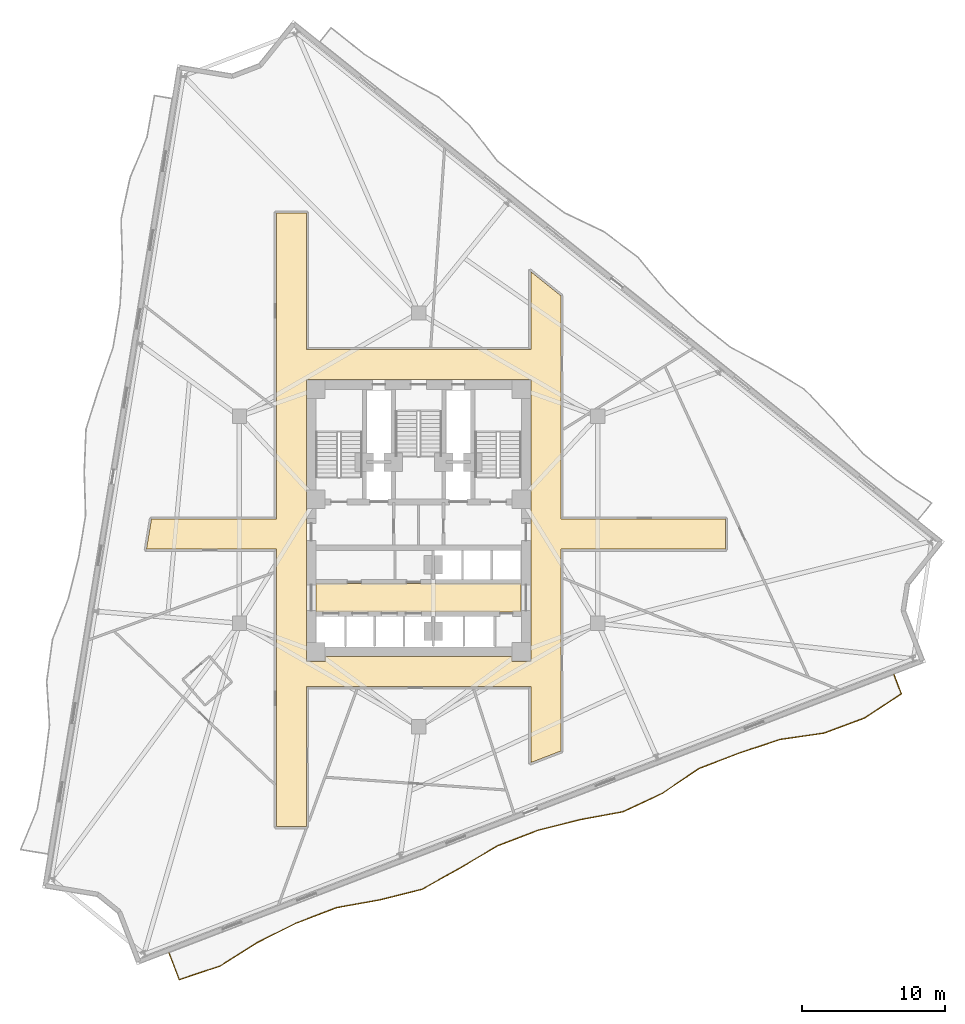
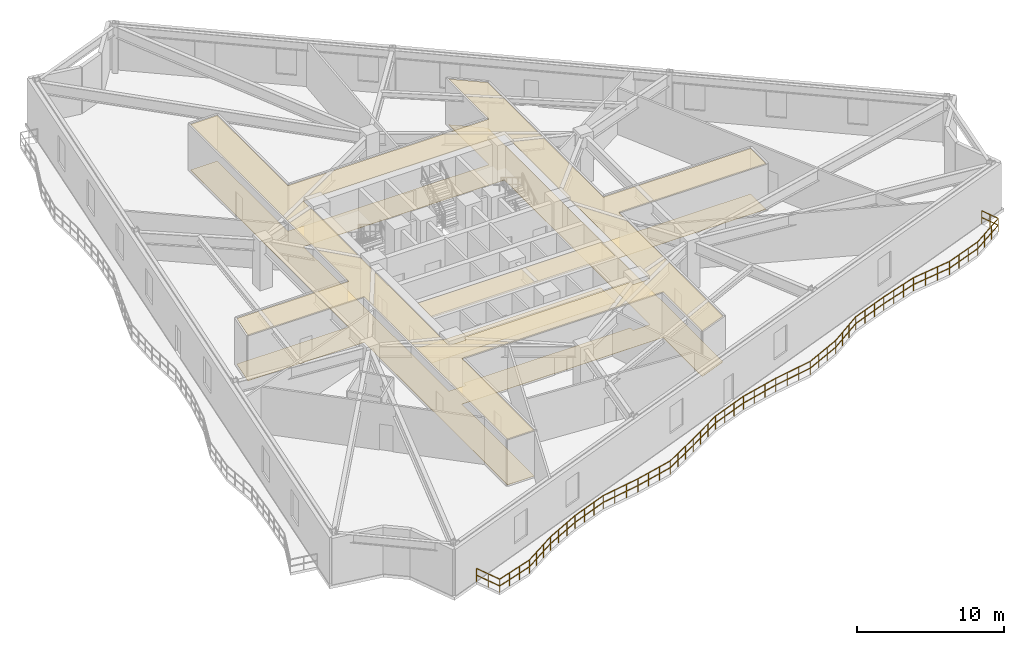
# One storey, part 8 of 11: 4 coverings, 1 railing.
"""IFC4 building model written with IfcOpenShell, lengths in metres."""

from ifc_helpers import new_model, si_unit, direction, frame, origin, origin_2d, place, context, subcontext, project, spatial, polyline, rectangle, outline, extrude, material, layer, layer_set, type_object, element, save


model = new_model("IFC4")

# Units and contexts
model_context = context("Model", 3, precision=1e-05, world=origin(), true_north=direction((0.0, 1.0)))
body_context = subcontext(model_context, "Body", "Model", "MODEL_VIEW")
ifc_project = project(units=[si_unit("LENGTHUNIT", "METRE"), si_unit("AREAUNIT", "SQUARE_METRE"), si_unit("VOLUMEUNIT", "CUBIC_METRE"), si_unit("PLANEANGLEUNIT", "RADIAN"), si_unit("MASSUNIT", "GRAM", prefix="KILO")], contexts=[model_context])

# Site, building, storey
site_placement = place(None, origin())
site = spatial("IfcSite", under=ifc_project, at=site_placement, CompositionType="ELEMENT")
building_placement = place(site_placement, origin())
building = spatial("IfcBuilding", under=site, at=building_placement, Name="Apsidion Concourse Tower", CompositionType="ELEMENT")
storey_placement = place(building_placement, frame((0.0, 0.0, 132.199951171875)))
storey = spatial("IfcBuildingStorey", under=building, at=storey_placement, Name="L30", CompositionType="ELEMENT", Elevation=132.199951171875)

# Coverings
ifc_material_1 = material(Name="Acoustic mineral fibre ceiling")
ifc_layer_1 = layer(ifc_material_1, 0.0400390625)
ifc_layer_set_1 = layer_set([ifc_layer_1], Name="Acoustic mineral fibre ceiling")
covering_type_1 = type_object("IfcCoveringType", Name="COV-CEIL-40", PredefinedType="CEILING", material=ifc_layer_set_1)
covering_1_placement = place(storey_placement, frame((0.0, 0.0, 3.75)))
element("IfcCovering", 1, at=covering_1_placement, inside=storey, type_object=covering_type_1, Name="L30 Acoustic Ceiling Grid 1", PredefinedType="CEILING", context=body_context, shape_type="SweptSolid", body=[
    extrude(outline(polyline([(-7.179931640625, -6.449951171875), (-7.179931640625, -4.47998046875), (7.179931640625, -4.47998046875), (7.179931640625, -6.449951171875), (-7.179931640625, -6.449951171875)])), origin(), (0.0, 0.0, 1.0), 0.0400390625),
])
covering_2_placement = place(storey_placement, frame((0.0, 0.0, 3.75)))
element("IfcCovering", 2, at=covering_2_placement, inside=storey, type_object=covering_type_1, Name="L30 Acoustic Ceiling Grid 2", PredefinedType="CEILING", context=body_context, shape_type="SweptSolid", body=[
    extrude(outline(polyline([(9.969970703125, -16.20458984375), (7.8701171875, -17.0107421875), (7.8701171875, -11.695068359375), (-7.8701171875, -11.695068359375), (-7.8701171875, -21.5), (-9.969970703125, -21.5), (-9.969970703125, -11.695068359375), (-9.969970703125, -2.050048828125), (-19.0703125, -2.050048828125), (-18.7255859375, 0.050048828125), (-9.969970703125, 0.050048828125), (-9.969970703125, 11.919921875), (-9.969970703125, 21.5), (-7.8701171875, 21.5), (-7.8701171875, 11.919921875), (7.8701171875, 11.919921875), (7.8701171875, 17.3798828125), (9.969970703125, 15.698974609375), (9.969970703125, 11.919921875), (9.969970703125, 0.050048828125), (21.5, 0.050048828125), (21.5, -2.050048828125), (9.969970703125, -2.050048828125), (9.969970703125, -11.695068359375), (9.969970703125, -16.20458984375)]), holes=[polyline([(7.8701171875, -8.60009765625), (7.8701171875, -2.050048828125), (7.8701171875, 0.050048828125), (7.8701171875, 0.800048828125), (7.8701171875, 2.10009765625), (7.8701171875, 8.5), (7.8701171875, 9.800048828125), (7.8701171875, 9.820068359375), (7.85009765625, 9.820068359375), (6.550048828125, 9.820068359375), (-6.550048828125, 9.820068359375), (-7.85009765625, 9.820068359375), (-7.8701171875, 9.820068359375), (-7.8701171875, 9.800048828125), (-7.8701171875, 8.5), (-7.8701171875, 2.10009765625), (-7.8701171875, 0.800048828125), (-7.8701171875, 0.050048828125), (-7.8701171875, -2.050048828125), (-7.8701171875, -8.60009765625), (-7.8701171875, -9.594970703125), (-7.8701171875, -9.89990234375), (-7.869873046875, -9.902099609375), (-7.86962890625, -9.90380859375), (-7.869140625, -9.90576171875), (-7.868408203125, -9.90771484375), (-7.86767578125, -9.909423828125), (-7.86669921875, -9.9111328125), (-7.865478515625, -9.91259765625), (-7.864013671875, -9.9140625), (-7.86279296875, -9.91552734375), (-7.861083984375, -9.91650390625), (-7.859375, -9.91748046875), (-7.857666015625, -9.91845703125), (-7.855712890625, -9.919189453125), (-7.85400390625, -9.919677734375), (-7.85205078125, -9.919921875), (-7.85009765625, -9.919921875), (-6.550048828125, -9.919921875), (-6.548095703125, -9.919921875), (-6.546142578125, -9.919677734375), (-6.544189453125, -9.919189453125), (-6.542236328125, -9.91845703125), (-6.54052734375, -9.91748046875), (-6.538818359375, -9.91650390625), (-6.537353515625, -9.91552734375), (-6.535888671875, -9.9140625), (-6.534423828125, -9.91259765625), (-6.533447265625, -9.9111328125), (-6.532470703125, -9.909423828125), (-6.531494140625, -9.90771484375), (-6.531005859375, -9.90576171875), (-6.530517578125, -9.90380859375), (-6.530029296875, -9.902099609375), (-6.530029296875, -9.89990234375), (-6.530029296875, -9.594970703125), (6.530029296875, -9.594970703125), (6.530029296875, -9.89990234375), (6.530029296875, -9.902099609375), (6.530517578125, -9.90380859375), (6.531005859375, -9.90576171875), (6.531494140625, -9.90771484375), (6.532470703125, -9.909423828125), (6.533447265625, -9.9111328125), (6.534423828125, -9.91259765625), (6.535888671875, -9.9140625), (6.537353515625, -9.91552734375), (6.538818359375, -9.91650390625), (6.54052734375, -9.91748046875), (6.542236328125, -9.91845703125), (6.544189453125, -9.919189453125), (6.546142578125, -9.919677734375), (6.548095703125, -9.919921875), (6.550048828125, -9.919921875), (7.85009765625, -9.919921875), (7.85205078125, -9.919921875), (7.85400390625, -9.919677734375), (7.855712890625, -9.919189453125), (7.857666015625, -9.91845703125), (7.859375, -9.91748046875), (7.861083984375, -9.91650390625), (7.86279296875, -9.91552734375), (7.864013671875, -9.9140625), (7.865478515625, -9.91259765625), (7.86669921875, -9.9111328125), (7.86767578125, -9.909423828125), (7.868408203125, -9.90771484375), (7.869140625, -9.90576171875), (7.86962890625, -9.90380859375), (7.869873046875, -9.902099609375), (7.8701171875, -9.89990234375), (7.8701171875, -9.594970703125), (7.8701171875, -8.60009765625)])]), origin(), (0.0, 0.0, 1.0), 0.0400390625),
])
ifc_material_2 = material(Name="Honed travertine floor finish", Category="masonry")
ifc_layer_2 = layer(ifc_material_2, 0.02001953125)
ifc_layer_set_2 = layer_set([ifc_layer_2], Name="Honed travertine floor finish")
covering_type_2 = type_object("IfcCoveringType", Name="COV-FLOR-20", PredefinedType="FLOORING", material=ifc_layer_set_2)
covering_3_placement = place(storey_placement, origin())
element("IfcCovering", 3, at=covering_3_placement, inside=storey, type_object=covering_type_2, Name="L30 Honed Travertine Floor Finish 1", PredefinedType="FLOORING", context=body_context, shape_type="SweptSolid", body=[
    extrude(outline(polyline([(-7.179931640625, -6.449951171875), (-7.179931640625, -4.47998046875), (7.179931640625, -4.47998046875), (7.179931640625, -6.449951171875), (-7.179931640625, -6.449951171875)])), origin(), (0.0, 0.0, 1.0), 0.02001953125),
])
covering_4_placement = place(storey_placement, origin())
element("IfcCovering", 4, at=covering_4_placement, inside=storey, type_object=covering_type_2, Name="L30 Honed Travertine Floor Finish 2", PredefinedType="FLOORING", context=body_context, shape_type="SweptSolid", body=[
    extrude(outline(polyline([(9.969970703125, -16.20458984375), (7.8701171875, -17.0107421875), (7.8701171875, -11.695068359375), (-7.8701171875, -11.695068359375), (-7.8701171875, -21.5), (-9.969970703125, -21.5), (-9.969970703125, -11.695068359375), (-9.969970703125, -2.050048828125), (-19.0703125, -2.050048828125), (-18.7255859375, 0.050048828125), (-9.969970703125, 0.050048828125), (-9.969970703125, 11.919921875), (-9.969970703125, 21.5), (-7.8701171875, 21.5), (-7.8701171875, 11.919921875), (7.8701171875, 11.919921875), (7.8701171875, 17.3798828125), (9.969970703125, 15.698974609375), (9.969970703125, 11.919921875), (9.969970703125, 0.050048828125), (21.5, 0.050048828125), (21.5, -2.050048828125), (9.969970703125, -2.050048828125), (9.969970703125, -11.695068359375), (9.969970703125, -16.20458984375)]), holes=[polyline([(7.8701171875, -8.60009765625), (7.8701171875, -2.050048828125), (7.8701171875, 0.050048828125), (7.8701171875, 0.800048828125), (7.8701171875, 2.10009765625), (7.8701171875, 8.5), (7.8701171875, 9.800048828125), (7.8701171875, 9.820068359375), (7.85009765625, 9.820068359375), (6.550048828125, 9.820068359375), (-6.550048828125, 9.820068359375), (-7.85009765625, 9.820068359375), (-7.8701171875, 9.820068359375), (-7.8701171875, 9.800048828125), (-7.8701171875, 8.5), (-7.8701171875, 2.10009765625), (-7.8701171875, 0.800048828125), (-7.8701171875, 0.050048828125), (-7.8701171875, -2.050048828125), (-7.8701171875, -8.60009765625), (-7.8701171875, -9.594970703125), (-7.8701171875, -9.89990234375), (-7.869873046875, -9.902099609375), (-7.86962890625, -9.90380859375), (-7.869140625, -9.90576171875), (-7.868408203125, -9.90771484375), (-7.86767578125, -9.909423828125), (-7.86669921875, -9.9111328125), (-7.865478515625, -9.91259765625), (-7.864013671875, -9.9140625), (-7.86279296875, -9.91552734375), (-7.861083984375, -9.91650390625), (-7.859375, -9.91748046875), (-7.857666015625, -9.91845703125), (-7.855712890625, -9.919189453125), (-7.85400390625, -9.919677734375), (-7.85205078125, -9.919921875), (-7.85009765625, -9.919921875), (-6.550048828125, -9.919921875), (-6.548095703125, -9.919921875), (-6.546142578125, -9.919677734375), (-6.544189453125, -9.919189453125), (-6.542236328125, -9.91845703125), (-6.54052734375, -9.91748046875), (-6.538818359375, -9.91650390625), (-6.537353515625, -9.91552734375), (-6.535888671875, -9.9140625), (-6.534423828125, -9.91259765625), (-6.533447265625, -9.9111328125), (-6.532470703125, -9.909423828125), (-6.531494140625, -9.90771484375), (-6.531005859375, -9.90576171875), (-6.530517578125, -9.90380859375), (-6.530029296875, -9.902099609375), (-6.530029296875, -9.89990234375), (-6.530029296875, -9.594970703125), (6.530029296875, -9.594970703125), (6.530029296875, -9.89990234375), (6.530029296875, -9.902099609375), (6.530517578125, -9.90380859375), (6.531005859375, -9.90576171875), (6.531494140625, -9.90771484375), (6.532470703125, -9.909423828125), (6.533447265625, -9.9111328125), (6.534423828125, -9.91259765625), (6.535888671875, -9.9140625), (6.537353515625, -9.91552734375), (6.538818359375, -9.91650390625), (6.54052734375, -9.91748046875), (6.542236328125, -9.91845703125), (6.544189453125, -9.919189453125), (6.546142578125, -9.919677734375), (6.548095703125, -9.919921875), (6.550048828125, -9.919921875), (7.85009765625, -9.919921875), (7.85205078125, -9.919921875), (7.85400390625, -9.919677734375), (7.855712890625, -9.919189453125), (7.857666015625, -9.91845703125), (7.859375, -9.91748046875), (7.861083984375, -9.91650390625), (7.86279296875, -9.91552734375), (7.864013671875, -9.9140625), (7.865478515625, -9.91259765625), (7.86669921875, -9.9111328125), (7.86767578125, -9.909423828125), (7.868408203125, -9.90771484375), (7.869140625, -9.90576171875), (7.86962890625, -9.90380859375), (7.869873046875, -9.902099609375), (7.8701171875, -9.89990234375), (7.8701171875, -9.594970703125), (7.8701171875, -8.60009765625)])]), origin(), (0.0, 0.0, 1.0), 0.02001953125),
])

# Railing
ifc_material_3 = material(Name="Brushed stainless steel 316", Category="steel")
railing_type = type_object("IfcRailingType", Name="RL-BAL-1120", PredefinedType="BALUSTRADE", material=ifc_material_3)
railing_placement = place(storey_placement, frame((33.314208984375, -10.847900390625, 0.0)))
element("IfcRailing", 5, at=railing_placement, inside=storey, type_object=railing_type, Name="L30 Face 2 Rippling Balcony Balustrade", PredefinedType="BALUSTRADE", context=body_context, shape_type="SweptSolid", body=[
    extrude(rectangle(XDim=0.048095703125, YDim=0.048095703125, at=origin_2d()), frame((0.0, 0.0, 1.09619140625), z_axis=(0.358388828523, -0.933572411541, 0.0), x_axis=(0.933572411541, 0.358388828523, 0.0)), (0.0, 0.0, 1.0), 1.44140625),
    extrude(rectangle(XDim=0.048095703125, YDim=0.048095703125, at=origin_2d()), frame((0.0, 0.0, 0.5361328125), z_axis=(0.358388828523, -0.933572411541, 0.0), x_axis=(0.933572411541, 0.358388828523, 0.0)), (0.0, 0.0, 1.0), 1.44140625),
    extrude(rectangle(XDim=0.048095703125, YDim=0.048095703125, at=origin_2d()), frame((0.5166015625, -1.345703125, 1.09619140625), z_axis=(-0.83529984639, -0.549794658596, 0.0), x_axis=(0.549794658596, -0.83529984639, 0.0)), (0.0, 0.0, 1.0), 3.095458984375),
    extrude(rectangle(XDim=0.048095703125, YDim=0.048095703125, at=origin_2d()), frame((0.5166015625, -1.345703125, 0.5361328125), z_axis=(-0.83529984639, -0.549794658596, 0.0), x_axis=(0.549794658596, -0.83529984639, 0.0)), (0.0, 0.0, 1.0), 3.095458984375),
    extrude(rectangle(XDim=0.048095703125, YDim=0.048095703125, at=origin_2d()), frame((-2.069091796875, -3.047607421875, 1.09619140625), z_axis=(-0.937165991273, -0.348883798422, 0.0), x_axis=(0.348883798422, -0.937165991273, 0.0)), (0.0, 0.0, 1.0), 3.023681640625),
    extrude(rectangle(XDim=0.048095703125, YDim=0.048095703125, at=origin_2d()), frame((-2.069091796875, -3.047607421875, 0.5361328125), z_axis=(-0.937165991273, -0.348883798422, 0.0), x_axis=(0.348883798422, -0.937165991273, 0.0)), (0.0, 0.0, 1.0), 3.023681640625),
    extrude(rectangle(XDim=0.048095703125, YDim=0.048095703125, at=origin_2d()), frame((-4.90283203125, -4.1025390625, 1.09619140625), z_axis=(-0.989700732716, -0.143151876209, 0.0), x_axis=(0.143151876209, -0.989700732716, 0.0)), (0.0, 0.0, 1.0), 3.1005859375),
    extrude(rectangle(XDim=0.048095703125, YDim=0.048095703125, at=origin_2d()), frame((-4.90283203125, -4.1025390625, 0.5361328125), z_axis=(-0.989700732716, -0.143151876209, 0.0), x_axis=(0.143151876209, -0.989700732716, 0.0)), (0.0, 0.0, 1.0), 3.1005859375),
    extrude(rectangle(XDim=0.048095703125, YDim=0.048095703125, at=origin_2d()), frame((-7.971435546875, -4.54638671875, 1.09619140625), z_axis=(-0.948892789527, -0.315598596296, 0.0), x_axis=(0.315598596296, -0.948892789527, 0.0)), (0.0, 0.0, 1.0), 3.027099609375),
    extrude(rectangle(XDim=0.048095703125, YDim=0.048095703125, at=origin_2d()), frame((-7.971435546875, -4.54638671875, 0.5361328125), z_axis=(-0.948892789527, -0.315598596296, 0.0), x_axis=(0.315598596296, -0.948892789527, 0.0)), (0.0, 0.0, 1.0), 3.027099609375),
    extrude(rectangle(XDim=0.048095703125, YDim=0.048095703125, at=origin_2d()), frame((-10.84375, -5.501708984375, 1.09619140625), z_axis=(-0.933586801128, -0.358351342623, 0.0), x_axis=(0.358351342623, -0.933586801128, 0.0)), (0.0, 0.0, 1.0), 3.0234375),
    extrude(rectangle(XDim=0.048095703125, YDim=0.048095703125, at=origin_2d()), frame((-10.84375, -5.501708984375, 0.5361328125), z_axis=(-0.933586801128, -0.358351342623, 0.0), x_axis=(0.358351342623, -0.933586801128, 0.0)), (0.0, 0.0, 1.0), 3.0234375),
    extrude(rectangle(XDim=0.048095703125, YDim=0.048095703125, at=origin_2d()), frame((-13.66650390625, -6.585205078125, 1.09619140625), z_axis=(-0.827767915219, -0.561070653781, 0.0), x_axis=(0.561070653781, -0.827767915219, 0.0)), (0.0, 0.0, 1.0), 3.105224609375),
    extrude(rectangle(XDim=0.048095703125, YDim=0.048095703125, at=origin_2d()), frame((-13.66650390625, -6.585205078125, 0.5361328125), z_axis=(-0.827767915219, -0.561070653781, 0.0), x_axis=(0.561070653781, -0.827767915219, 0.0)), (0.0, 0.0, 1.0), 3.105224609375),
    extrude(rectangle(XDim=0.048095703125, YDim=0.048095703125, at=origin_2d()), frame((-16.23681640625, -8.327392578125, 1.09619140625), z_axis=(-0.905463771916, -0.42442355937, 0.0), x_axis=(0.42442355937, -0.905463771916, 0.0)), (0.0, 0.0, 1.0), 3.031494140625),
    extrude(rectangle(XDim=0.048095703125, YDim=0.048095703125, at=origin_2d()), frame((-16.23681640625, -8.327392578125, 0.5361328125), z_axis=(-0.905463771916, -0.42442355937, 0.0), x_axis=(0.42442355937, -0.905463771916, 0.0)), (0.0, 0.0, 1.0), 3.031494140625),
    extrude(rectangle(XDim=0.048095703125, YDim=0.048095703125, at=origin_2d()), frame((-18.981689453125, -9.614013671875, 1.09619140625), z_axis=(-0.983368223629, -0.181623062291, 0.0), x_axis=(0.181623062291, -0.983368223629, 0.0)), (0.0, 0.0, 1.0), 3.07568359375),
    extrude(rectangle(XDim=0.048095703125, YDim=0.048095703125, at=origin_2d()), frame((-18.981689453125, -9.614013671875, 0.5361328125), z_axis=(-0.983368223629, -0.181623062291, 0.0), x_axis=(0.181623062291, -0.983368223629, 0.0)), (0.0, 0.0, 1.0), 3.07568359375),
    extrude(rectangle(XDim=0.048095703125, YDim=0.048095703125, at=origin_2d()), frame((-22.006103515625, -10.172607421875, 1.09619140625), z_axis=(-0.969445339015, -0.245307428875, 0.0), x_axis=(0.245307428875, -0.969445339015, 0.0)), (0.0, 0.0, 1.0), 3.04541015625),
    extrude(rectangle(XDim=0.048095703125, YDim=0.048095703125, at=origin_2d()), frame((-22.006103515625, -10.172607421875, 0.5361328125), z_axis=(-0.969445339015, -0.245307428875, 0.0), x_axis=(0.245307428875, -0.969445339015, 0.0)), (0.0, 0.0, 1.0), 3.04541015625),
    extrude(rectangle(XDim=0.048095703125, YDim=0.048095703125, at=origin_2d()), frame((-24.95849609375, -10.919677734375, 1.09619140625), z_axis=(-0.93355978547, -0.358421716632, 0.0), x_axis=(0.358421716632, -0.93355978547, 0.0)), (0.0, 0.0, 1.0), 3.023681640625),
    extrude(rectangle(XDim=0.048095703125, YDim=0.048095703125, at=origin_2d()), frame((-24.95849609375, -10.919677734375, 0.5361328125), z_axis=(-0.93355978547, -0.358421716632, 0.0), x_axis=(0.358421716632, -0.93355978547, 0.0)), (0.0, 0.0, 1.0), 3.023681640625),
    extrude(rectangle(XDim=0.048095703125, YDim=0.048095703125, at=origin_2d()), frame((-27.78125, -12.00341796875, 1.09619140625), z_axis=(-0.861180037687, -0.50830005183, 0.0), x_axis=(0.50830005183, -0.861180037687, 0.0)), (0.0, 0.0, 1.0), 3.06640625),
    extrude(rectangle(XDim=0.048095703125, YDim=0.048095703125, at=origin_2d()), frame((-27.78125, -12.00341796875, 0.5361328125), z_axis=(-0.861180037687, -0.50830005183, 0.0), x_axis=(0.50830005183, -0.861180037687, 0.0)), (0.0, 0.0, 1.0), 3.06640625),
    extrude(rectangle(XDim=0.048095703125, YDim=0.048095703125, at=origin_2d()), frame((-30.421875, -13.56201171875, 1.09619140625), z_axis=(-0.872251117697, -0.489058266137, 0.0), x_axis=(0.489058266137, -0.872251117697, 0.0)), (0.0, 0.0, 1.0), 3.0556640625),
    extrude(rectangle(XDim=0.048095703125, YDim=0.048095703125, at=origin_2d()), frame((-30.421875, -13.56201171875, 0.5361328125), z_axis=(-0.872251117697, -0.489058266137, 0.0), x_axis=(0.489058266137, -0.872251117697, 0.0)), (0.0, 0.0, 1.0), 3.0556640625),
    extrude(rectangle(XDim=0.048095703125, YDim=0.048095703125, at=origin_2d()), frame((-33.087158203125, -15.056396484375, 1.09619140625), z_axis=(-0.97037771942, -0.241592801326, 0.0), x_axis=(0.241592801326, -0.97037771942, 0.0)), (0.0, 0.0, 1.0), 3.046875),
    extrude(rectangle(XDim=0.048095703125, YDim=0.048095703125, at=origin_2d()), frame((-33.087158203125, -15.056396484375, 0.5361328125), z_axis=(-0.97037771942, -0.241592801326, 0.0), x_axis=(0.241592801326, -0.97037771942, 0.0)), (0.0, 0.0, 1.0), 3.046875),
    extrude(rectangle(XDim=0.048095703125, YDim=0.048095703125, at=origin_2d()), frame((-36.043701171875, -15.79248046875, 1.09619140625), z_axis=(-0.984175578712, -0.177196022151, 0.0), x_axis=(0.177196022151, -0.984175578712, 0.0)), (0.0, 0.0, 1.0), 3.078125),
    extrude(rectangle(XDim=0.048095703125, YDim=0.048095703125, at=origin_2d()), frame((-36.043701171875, -15.79248046875, 0.5361328125), z_axis=(-0.984175578712, -0.177196022151, 0.0), x_axis=(0.177196022151, -0.984175578712, 0.0)), (0.0, 0.0, 1.0), 3.078125),
    extrude(rectangle(XDim=0.048095703125, YDim=0.048095703125, at=origin_2d()), frame((-39.072998046875, -16.337890625, 1.09619140625), z_axis=(-0.933597169026, -0.358324330722, 0.0), x_axis=(0.358324330722, -0.933597169026, 0.0)), (0.0, 0.0, 1.0), 3.023681640625),
    extrude(rectangle(XDim=0.048095703125, YDim=0.048095703125, at=origin_2d()), frame((-39.072998046875, -16.337890625, 0.5361328125), z_axis=(-0.933597169026, -0.358324330722, 0.0), x_axis=(0.358324330722, -0.933597169026, 0.0)), (0.0, 0.0, 1.0), 3.023681640625),
    extrude(rectangle(XDim=0.048095703125, YDim=0.048095703125, at=origin_2d()), frame((-41.89599609375, -17.42138671875, 1.09619140625), z_axis=(-0.895421668831, -0.445219086504, 0.0), x_axis=(0.445219086504, -0.895421668831, 0.0)), (0.0, 0.0, 1.0), 3.037353515625),
    extrude(rectangle(XDim=0.048095703125, YDim=0.048095703125, at=origin_2d()), frame((-41.89599609375, -17.42138671875, 0.5361328125), z_axis=(-0.895421668831, -0.445219086504, 0.0), x_axis=(0.445219086504, -0.895421668831, 0.0)), (0.0, 0.0, 1.0), 3.037353515625),
    extrude(rectangle(XDim=0.048095703125, YDim=0.048095703125, at=origin_2d()), frame((-44.61572265625, -18.773681640625, 1.09619140625), z_axis=(-0.844202014661, -0.536025147211, 0.0), x_axis=(0.536025147211, -0.844202014661, 0.0)), (0.0, 0.0, 1.0), 3.0849609375),
    extrude(rectangle(XDim=0.048095703125, YDim=0.048095703125, at=origin_2d()), frame((-44.61572265625, -18.773681640625, 0.5361328125), z_axis=(-0.844202014661, -0.536025147211, 0.0), x_axis=(0.536025147211, -0.844202014661, 0.0)), (0.0, 0.0, 1.0), 3.0849609375),
    extrude(rectangle(XDim=0.048095703125, YDim=0.048095703125, at=origin_2d()), frame((-47.219970703125, -20.42724609375, 1.09619140625), z_axis=(-0.948997386737, -0.315283935471, 0.0), x_axis=(0.315283935471, -0.948997386737, 0.0)), (0.0, 0.0, 1.0), 3.02685546875),
    extrude(rectangle(XDim=0.048095703125, YDim=0.048095703125, at=origin_2d()), frame((-47.219970703125, -20.42724609375, 0.5361328125), z_axis=(-0.948997386737, -0.315283935471, 0.0), x_axis=(0.315283935471, -0.948997386737, 0.0)), (0.0, 0.0, 1.0), 3.02685546875),
    extrude(rectangle(XDim=0.048095703125, YDim=0.048095703125, at=origin_2d()), frame((-50.092529296875, -21.381591796875, 1.09619140625), z_axis=(-0.358368467375, 0.933580227721, 0.0), x_axis=(-0.933580227721, -0.358368467375, 0.0)), (0.0, 0.0, 1.0), 2.009765625),
    extrude(rectangle(XDim=0.048095703125, YDim=0.048095703125, at=origin_2d()), frame((-50.092529296875, -21.381591796875, 0.5361328125), z_axis=(-0.358368467375, 0.933580227721, 0.0), x_axis=(-0.933580227721, -0.358368467375, 0.0)), (0.0, 0.0, 1.0), 2.009765625),
    extrude(rectangle(XDim=0.0419921875, YDim=0.0419921875, at=origin_2d()), origin(), (0.0, 0.0, 1.0), 1.072021484375),
    extrude(rectangle(XDim=0.0419921875, YDim=0.0419921875, at=origin_2d()), frame((0.25830078125, -0.6728515625, 0.0)), (0.0, 0.0, 1.0), 1.072021484375),
    extrude(rectangle(XDim=0.0419921875, YDim=0.0419921875, at=origin_2d()), frame((0.5166015625, -1.345703125, 0.0)), (0.0, 0.0, 1.0), 1.072021484375),
    extrude(rectangle(XDim=0.0419921875, YDim=0.0419921875, at=origin_2d()), frame((-0.34521484375, -1.9130859375, 0.0)), (0.0, 0.0, 1.0), 1.072021484375),
    extrude(rectangle(XDim=0.0419921875, YDim=0.0419921875, at=origin_2d()), frame((-1.207275390625, -2.480224609375, 0.0)), (0.0, 0.0, 1.0), 1.072021484375),
    extrude(rectangle(XDim=0.0419921875, YDim=0.0419921875, at=origin_2d()), frame((-2.069091796875, -3.047607421875, 0.0)), (0.0, 0.0, 1.0), 1.072021484375),
    extrude(rectangle(XDim=0.0419921875, YDim=0.0419921875, at=origin_2d()), frame((-3.013671875, -3.399169921875, 0.0)), (0.0, 0.0, 1.0), 1.072021484375),
    extrude(rectangle(XDim=0.0419921875, YDim=0.0419921875, at=origin_2d()), frame((-3.958251953125, -3.7509765625, 0.0)), (0.0, 0.0, 1.0), 1.072021484375),
    extrude(rectangle(XDim=0.0419921875, YDim=0.0419921875, at=origin_2d()), frame((-4.90283203125, -4.1025390625, 0.0)), (0.0, 0.0, 1.0), 1.072021484375),
    extrude(rectangle(XDim=0.0419921875, YDim=0.0419921875, at=origin_2d()), frame((-5.92578125, -4.25048828125, 0.0)), (0.0, 0.0, 1.0), 1.072021484375),
    extrude(rectangle(XDim=0.0419921875, YDim=0.0419921875, at=origin_2d()), frame((-6.948486328125, -4.3984375, 0.0)), (0.0, 0.0, 1.0), 1.072021484375),
    extrude(rectangle(XDim=0.0419921875, YDim=0.0419921875, at=origin_2d()), frame((-7.971435546875, -4.54638671875, 0.0)), (0.0, 0.0, 1.0), 1.072021484375),
    extrude(rectangle(XDim=0.0419921875, YDim=0.0419921875, at=origin_2d()), frame((-8.928955078125, -4.86474609375, 0.0)), (0.0, 0.0, 1.0), 1.072021484375),
    extrude(rectangle(XDim=0.0419921875, YDim=0.0419921875, at=origin_2d()), frame((-9.88623046875, -5.183349609375, 0.0)), (0.0, 0.0, 1.0), 1.072021484375),
    extrude(rectangle(XDim=0.0419921875, YDim=0.0419921875, at=origin_2d()), frame((-10.84375, -5.501708984375, 0.0)), (0.0, 0.0, 1.0), 1.072021484375),
    extrude(rectangle(XDim=0.0419921875, YDim=0.0419921875, at=origin_2d()), frame((-11.78466796875, -5.86279296875, 0.0)), (0.0, 0.0, 1.0), 1.072021484375),
    extrude(rectangle(XDim=0.0419921875, YDim=0.0419921875, at=origin_2d()), frame((-12.7255859375, -6.22412109375, 0.0)), (0.0, 0.0, 1.0), 1.072021484375),
    extrude(rectangle(XDim=0.0419921875, YDim=0.0419921875, at=origin_2d()), frame((-13.66650390625, -6.585205078125, 0.0)), (0.0, 0.0, 1.0), 1.072021484375),
    extrude(rectangle(XDim=0.0419921875, YDim=0.0419921875, at=origin_2d()), frame((-14.523193359375, -7.166015625, 0.0)), (0.0, 0.0, 1.0), 1.072021484375),
    extrude(rectangle(XDim=0.0419921875, YDim=0.0419921875, at=origin_2d()), frame((-15.380126953125, -7.74658203125, 0.0)), (0.0, 0.0, 1.0), 1.072021484375),
    extrude(rectangle(XDim=0.0419921875, YDim=0.0419921875, at=origin_2d()), frame((-16.23681640625, -8.327392578125, 0.0)), (0.0, 0.0, 1.0), 1.072021484375),
    extrude(rectangle(XDim=0.0419921875, YDim=0.0419921875, at=origin_2d()), frame((-17.15185546875, -8.75634765625, 0.0)), (0.0, 0.0, 1.0), 1.072021484375),
    extrude(rectangle(XDim=0.0419921875, YDim=0.0419921875, at=origin_2d()), frame((-18.066650390625, -9.18505859375, 0.0)), (0.0, 0.0, 1.0), 1.072021484375),
    extrude(rectangle(XDim=0.0419921875, YDim=0.0419921875, at=origin_2d()), frame((-18.981689453125, -9.614013671875, 0.0)), (0.0, 0.0, 1.0), 1.072021484375),
    extrude(rectangle(XDim=0.0419921875, YDim=0.0419921875, at=origin_2d()), frame((-19.98974609375, -9.80029296875, 0.0)), (0.0, 0.0, 1.0), 1.072021484375),
    extrude(rectangle(XDim=0.0419921875, YDim=0.0419921875, at=origin_2d()), frame((-20.998046875, -9.986328125, 0.0)), (0.0, 0.0, 1.0), 1.072021484375),
    extrude(rectangle(XDim=0.0419921875, YDim=0.0419921875, at=origin_2d()), frame((-22.006103515625, -10.172607421875, 0.0)), (0.0, 0.0, 1.0), 1.072021484375),
    extrude(rectangle(XDim=0.0419921875, YDim=0.0419921875, at=origin_2d()), frame((-22.990234375, -10.421630859375, 0.0)), (0.0, 0.0, 1.0), 1.072021484375),
    extrude(rectangle(XDim=0.0419921875, YDim=0.0419921875, at=origin_2d()), frame((-23.974365234375, -10.670654296875, 0.0)), (0.0, 0.0, 1.0), 1.072021484375),
    extrude(rectangle(XDim=0.0419921875, YDim=0.0419921875, at=origin_2d()), frame((-24.95849609375, -10.919677734375, 0.0)), (0.0, 0.0, 1.0), 1.072021484375),
    extrude(rectangle(XDim=0.0419921875, YDim=0.0419921875, at=origin_2d()), frame((-25.8994140625, -11.281005859375, 0.0)), (0.0, 0.0, 1.0), 1.072021484375),
    extrude(rectangle(XDim=0.0419921875, YDim=0.0419921875, at=origin_2d()), frame((-26.84033203125, -11.64208984375, 0.0)), (0.0, 0.0, 1.0), 1.072021484375),
    extrude(rectangle(XDim=0.0419921875, YDim=0.0419921875, at=origin_2d()), frame((-27.78125, -12.00341796875, 0.0)), (0.0, 0.0, 1.0), 1.072021484375),
    extrude(rectangle(XDim=0.0419921875, YDim=0.0419921875, at=origin_2d()), frame((-28.661376953125, -12.52294921875, 0.0)), (0.0, 0.0, 1.0), 1.072021484375),
    extrude(rectangle(XDim=0.0419921875, YDim=0.0419921875, at=origin_2d()), frame((-29.541748046875, -13.04248046875, 0.0)), (0.0, 0.0, 1.0), 1.072021484375),
    extrude(rectangle(XDim=0.0419921875, YDim=0.0419921875, at=origin_2d()), frame((-30.421875, -13.56201171875, 0.0)), (0.0, 0.0, 1.0), 1.072021484375),
    extrude(rectangle(XDim=0.0419921875, YDim=0.0419921875, at=origin_2d()), frame((-31.310302734375, -14.06005859375, 0.0)), (0.0, 0.0, 1.0), 1.072021484375),
    extrude(rectangle(XDim=0.0419921875, YDim=0.0419921875, at=origin_2d()), frame((-32.19873046875, -14.558349609375, 0.0)), (0.0, 0.0, 1.0), 1.072021484375),
    extrude(rectangle(XDim=0.0419921875, YDim=0.0419921875, at=origin_2d()), frame((-33.087158203125, -15.056396484375, 0.0)), (0.0, 0.0, 1.0), 1.072021484375),
    extrude(rectangle(XDim=0.0419921875, YDim=0.0419921875, at=origin_2d()), frame((-34.07275390625, -15.3017578125, 0.0)), (0.0, 0.0, 1.0), 1.072021484375),
    extrude(rectangle(XDim=0.0419921875, YDim=0.0419921875, at=origin_2d()), frame((-35.05810546875, -15.547119140625, 0.0)), (0.0, 0.0, 1.0), 1.072021484375),
    extrude(rectangle(XDim=0.0419921875, YDim=0.0419921875, at=origin_2d()), frame((-36.043701171875, -15.79248046875, 0.0)), (0.0, 0.0, 1.0), 1.072021484375),
    extrude(rectangle(XDim=0.0419921875, YDim=0.0419921875, at=origin_2d()), frame((-37.053466796875, -15.974365234375, 0.0)), (0.0, 0.0, 1.0), 1.072021484375),
    extrude(rectangle(XDim=0.0419921875, YDim=0.0419921875, at=origin_2d()), frame((-38.063232421875, -16.156005859375, 0.0)), (0.0, 0.0, 1.0), 1.072021484375),
    extrude(rectangle(XDim=0.0419921875, YDim=0.0419921875, at=origin_2d()), frame((-39.072998046875, -16.337890625, 0.0)), (0.0, 0.0, 1.0), 1.072021484375),
    extrude(rectangle(XDim=0.0419921875, YDim=0.0419921875, at=origin_2d()), frame((-40.013916015625, -16.698974609375, 0.0)), (0.0, 0.0, 1.0), 1.072021484375),
    extrude(rectangle(XDim=0.0419921875, YDim=0.0419921875, at=origin_2d()), frame((-40.955078125, -17.060302734375, 0.0)), (0.0, 0.0, 1.0), 1.072021484375),
    extrude(rectangle(XDim=0.0419921875, YDim=0.0419921875, at=origin_2d()), frame((-41.89599609375, -17.42138671875, 0.0)), (0.0, 0.0, 1.0), 1.072021484375),
    extrude(rectangle(XDim=0.0419921875, YDim=0.0419921875, at=origin_2d()), frame((-42.802490234375, -17.8720703125, 0.0)), (0.0, 0.0, 1.0), 1.072021484375),
    extrude(rectangle(XDim=0.0419921875, YDim=0.0419921875, at=origin_2d()), frame((-43.709228515625, -18.322998046875, 0.0)), (0.0, 0.0, 1.0), 1.072021484375),
    extrude(rectangle(XDim=0.0419921875, YDim=0.0419921875, at=origin_2d()), frame((-44.61572265625, -18.773681640625, 0.0)), (0.0, 0.0, 1.0), 1.072021484375),
    extrude(rectangle(XDim=0.0419921875, YDim=0.0419921875, at=origin_2d()), frame((-45.48388671875, -19.324951171875, 0.0)), (0.0, 0.0, 1.0), 1.072021484375),
    extrude(rectangle(XDim=0.0419921875, YDim=0.0419921875, at=origin_2d()), frame((-46.351806640625, -19.8759765625, 0.0)), (0.0, 0.0, 1.0), 1.072021484375),
    extrude(rectangle(XDim=0.0419921875, YDim=0.0419921875, at=origin_2d()), frame((-47.219970703125, -20.42724609375, 0.0)), (0.0, 0.0, 1.0), 1.072021484375),
    extrude(rectangle(XDim=0.0419921875, YDim=0.0419921875, at=origin_2d()), frame((-48.177490234375, -20.745361328125, 0.0)), (0.0, 0.0, 1.0), 1.072021484375),
    extrude(rectangle(XDim=0.0419921875, YDim=0.0419921875, at=origin_2d()), frame((-49.135009765625, -21.0634765625, 0.0)), (0.0, 0.0, 1.0), 1.072021484375),
    extrude(rectangle(XDim=0.0419921875, YDim=0.0419921875, at=origin_2d()), frame((-50.092529296875, -21.381591796875, 0.0)), (0.0, 0.0, 1.0), 1.072021484375),
    extrude(rectangle(XDim=0.0419921875, YDim=0.0419921875, at=origin_2d()), frame((-50.45263671875, -20.443359375, 0.0)), (0.0, 0.0, 1.0), 1.072021484375),
    extrude(rectangle(XDim=0.0419921875, YDim=0.0419921875, at=origin_2d()), frame((-50.812744140625, -19.50537109375, 0.0)), (0.0, 0.0, 1.0), 1.072021484375),
])

save(model, "model.ifc")
